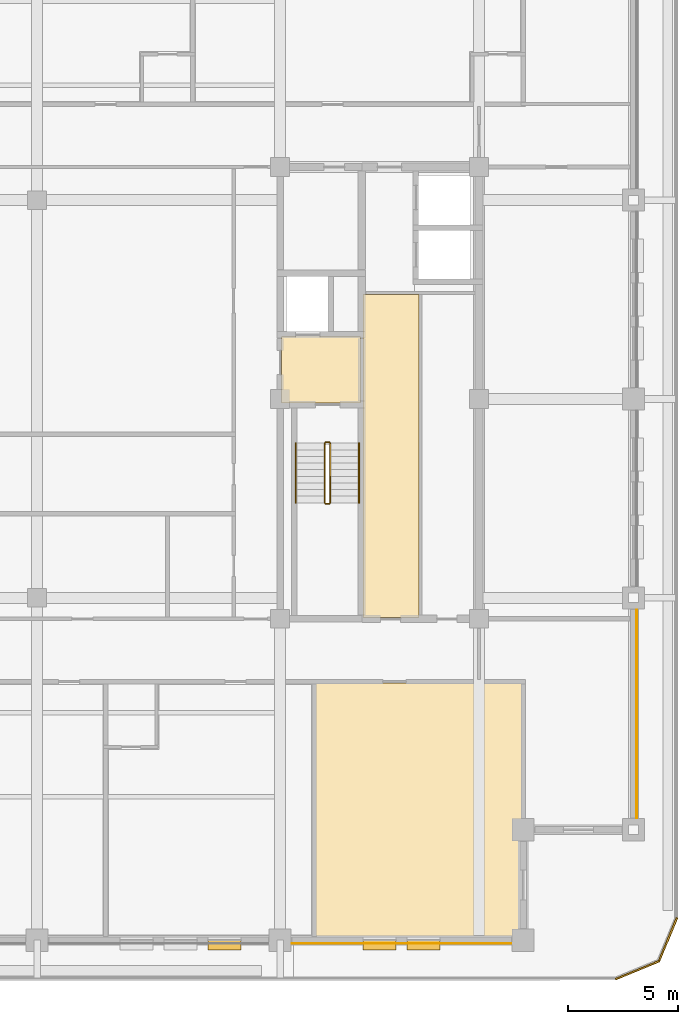
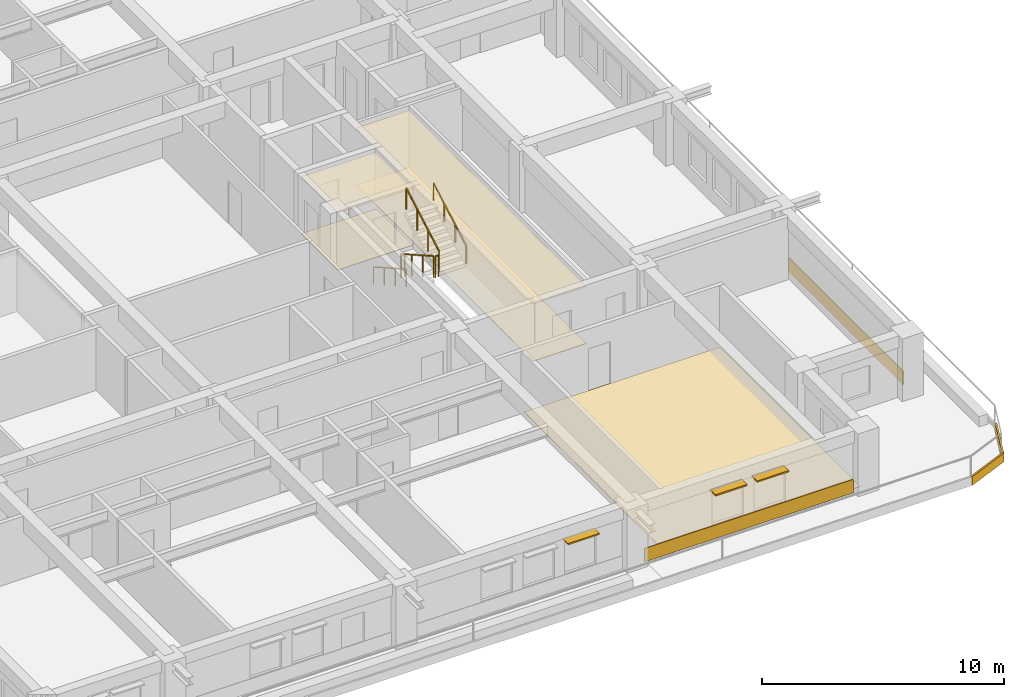
# One storey, part 12 of 13: 9 coverings, 6 railings, 3 shading devices.
"""IFC4 building model written with IfcOpenShell, lengths in metres."""

from ifc_helpers import new_model, si_unit, direction, frame, frame_2d, origin, origin_2d, place, context, subcontext, project, spatial, polyline, rectangle, outline, extrude, material, layer, layer_set, type_object, element, save


model = new_model("IFC4")

# Units and contexts
model_context = context("Model", 3, precision=1e-05, world=origin(), true_north=direction((0.0, 1.0)))
body_context = subcontext(model_context, "Body", "Model", "MODEL_VIEW")
ifc_project = project(units=[si_unit("LENGTHUNIT", "METRE"), si_unit("AREAUNIT", "SQUARE_METRE"), si_unit("VOLUMEUNIT", "CUBIC_METRE"), si_unit("PLANEANGLEUNIT", "RADIAN"), si_unit("MASSUNIT", "GRAM", prefix="KILO")], contexts=[model_context])

# Site, building, storey
site_placement = place(None, origin())
site = spatial("IfcSite", under=ifc_project, at=site_placement, CompositionType="ELEMENT")
building_placement = place(site_placement, origin())
building = spatial("IfcBuilding", under=site, at=building_placement, Name="Zulmaris Gate Convention Tower", CompositionType="ELEMENT")
storey_placement = place(building_placement, frame((0.0, 0.0, 169.4599609375)))
storey = spatial("IfcBuildingStorey", under=building, at=storey_placement, Name="L43", CompositionType="ELEMENT", Elevation=169.4599609375)

# Coverings
ifc_material_1 = material(Name="Precast concrete C40/50", Category="concrete")
ifc_layer_1 = layer(ifc_material_1, 0.0400390625, Name="Precast concrete C40/50")
ifc_layer_set_1 = layer_set([ifc_layer_1], Name="Precast concrete C40/50")
covering_type_1 = type_object("IfcCoveringType", Name="CLAD-SPANDREL-PRECAST", PredefinedType="CLADDING", material=ifc_layer_set_1)
covering_1_placement = place(storey_placement, frame((11.530029296875, -24.64990234375, 0.0), z_axis=(0.0, 0.0, 1.0), x_axis=(1.0, 0.0, 0.0)))
element("IfcCovering", 1, at=covering_1_placement, inside=storey, type_object=covering_type_1, Name="CLD-L43-S-3_0", PredefinedType="CLADDING", context=body_context, shape_type="SweptSolid", body=[
    extrude(rectangle(XDim=9.93994140625, YDim=0.0400390625, at=frame_2d((4.969970703125, 0.0))), origin(), (0.0, 0.0, 1.0), 0.679931640625),
])
covering_2_placement = place(storey_placement, frame((27.14990234375, -18.969970703125, 0.0), z_axis=(0.0, 0.0, 1.0), x_axis=(0.0, 1.0, 0.0)))
element("IfcCovering", 2, at=covering_2_placement, inside=storey, type_object=covering_type_1, Name="CLD-L43-E-0_0", PredefinedType="CLADDING", context=body_context, shape_type="SweptSolid", body=[
    extrude(rectangle(XDim=9.43994140625, YDim=0.0400390625, at=frame_2d((4.719970703125, 0.0))), origin(), (0.0, 0.0, 1.0), 0.679931640625),
])
ifc_material_2 = material(Name="White Glazed Architectural Precast Concrete C40/50", Category="concrete")
ifc_layer_2 = layer(ifc_material_2, 0.080078125, Name="White Glazed Architectural Precast Concrete C40/50")
ifc_layer_set_2 = layer_set([ifc_layer_2], Name="White Glazed Architectural Precast Concrete C40/50")
covering_type_2 = type_object("IfcCoveringType", Name="CLAD-TRAY-FASCIA", PredefinedType="CLADDING", material=ifc_layer_set_2)
covering_3_placement = place(storey_placement, frame((26.184814453125, -26.262939453125, -0.2900390625), z_axis=(0.0, 0.0, 1.0), x_axis=(0.923873803533, 0.382697263049, 0.0)))
element("IfcCovering", 3, at=covering_3_placement, inside=storey, type_object=covering_type_2, Name="FSC-L43-TR-03", PredefinedType="CLADDING", context=body_context, shape_type="SweptSolid", body=[
    extrude(rectangle(XDim=2.142822265625, YDim=0.080078125, at=frame_2d((1.0712890625, 0.0))), origin(), (0.0, 0.0, 1.0), 0.440185546875),
])
covering_4_placement = place(storey_placement, frame((28.142822265625, -25.464599609375, -0.2900390625), z_axis=(0.0, 0.0, 1.0), x_axis=(0.382656984709, 0.923890487046, 0.0)))
element("IfcCovering", 4, at=covering_4_placement, inside=storey, type_object=covering_type_2, Name="FSC-L43-TR-04", PredefinedType="CLADDING", context=body_context, shape_type="SweptSolid", body=[
    extrude(rectangle(XDim=2.14306640625, YDim=0.080078125, at=frame_2d((1.071533203125, 0.0))), origin(), (0.0, 0.0, 1.0), 0.440185546875),
])
ifc_material_3 = material(Name="Mineral Fibre Acoustic Ceiling Tile")
ifc_layer_3 = layer(ifc_material_3, 0.02001953125, Name="Mineral Fibre Acoustic Ceiling Tile")
ifc_layer_set_3 = layer_set([ifc_layer_3], Name="Mineral Fibre Acoustic Ceiling Tile")
covering_type_3 = type_object("IfcCoveringType", Name="CLG-ACOUSTIC-600", PredefinedType="CEILING", material=ifc_layer_set_3)
covering_5_placement = place(storey_placement, frame((0.0, 0.0, 2.869873046875)))
element("IfcCovering", 5, at=covering_5_placement, inside=storey, type_object=covering_type_3, Name="CLG-L43-R08", PredefinedType="CEILING", context=body_context, shape_type="SweptSolid", body=[
    extrude(outline(polyline([(11.06005859375, -0.18994140625), (14.639892578125, -0.18994140625), (14.639892578125, 2.840087890625), (11.06005859375, 2.840087890625), (11.06005859375, -0.18994140625)])), origin(), (0.0, 0.0, 1.0), 0.02001953125),
])
covering_6_placement = place(storey_placement, frame((0.0, 0.0, 2.869873046875)))
element("IfcCovering", 6, at=covering_6_placement, inside=storey, type_object=covering_type_3, Name="CLG-L43-R24", PredefinedType="CEILING", context=body_context, shape_type="SweptSolid", body=[
    extrude(outline(polyline([(14.760009765625, -9.889892578125), (17.2900390625, -9.889892578125), (17.2900390625, 4.739990234375), (14.760009765625, 4.739990234375), (14.760009765625, -9.889892578125)])), origin(), (0.0, 0.0, 1.0), 0.02001953125),
])
ifc_material_4 = material(Name="Woven Acoustic Wool Carpet Tile")
ifc_layer_4 = layer(ifc_material_4, 0.02001953125, Name="Woven Acoustic Wool Carpet Tile")
ifc_layer_set_4 = layer_set([ifc_layer_4], Name="Woven Acoustic Wool Carpet Tile")
covering_type_4 = type_object("IfcCoveringType", Name="FLR-CARPET-12", PredefinedType="FLOORING", material=ifc_layer_set_4)
covering_7_placement = place(storey_placement, origin())
element("IfcCovering", 7, at=covering_7_placement, inside=storey, type_object=covering_type_4, Name="FLR-L43-R08", PredefinedType="FLOORING", context=body_context, shape_type="SweptSolid", body=[
    extrude(outline(polyline([(11.06005859375, -0.18994140625), (14.639892578125, -0.18994140625), (14.639892578125, 2.840087890625), (11.06005859375, 2.840087890625), (11.06005859375, -0.18994140625)])), origin(), (0.0, 0.0, 1.0), 0.02001953125),
])
covering_8_placement = place(storey_placement, origin())
element("IfcCovering", 8, at=covering_8_placement, inside=storey, type_object=covering_type_4, Name="FLR-L43-R24", PredefinedType="FLOORING", context=body_context, shape_type="SweptSolid", body=[
    extrude(outline(polyline([(14.760009765625, -9.889892578125), (17.2900390625, -9.889892578125), (17.2900390625, 4.739990234375), (14.760009765625, 4.739990234375), (14.760009765625, -9.889892578125)])), origin(), (0.0, 0.0, 1.0), 0.02001953125),
])
ifc_material_5 = material(Name="Engineered Teak Parquet Flooring")
ifc_layer_5 = layer(ifc_material_5, 0.02001953125, Name="Engineered Teak Parquet Flooring")
ifc_layer_set_5 = layer_set([ifc_layer_5], Name="Engineered Teak Parquet Flooring")
covering_type_5 = type_object("IfcCoveringType", Name="FLR-TIMBER-18", PredefinedType="FLOORING", material=ifc_layer_set_5)
covering_9_placement = place(storey_placement, origin())
element("IfcCovering", 9, at=covering_9_placement, inside=storey, type_object=covering_type_5, Name="FLR-L43-R44", PredefinedType="FLOORING", context=body_context, shape_type="SweptSolid", body=[
    extrude(outline(polyline([(12.610107421875, -24.43994140625), (21.93994140625, -24.43994140625), (21.93994140625, -12.860107421875), (12.610107421875, -12.860107421875), (12.610107421875, -24.43994140625)])), origin(), (0.0, 0.0, 1.0), 0.02001953125),
])

# Railings
ifc_material_6 = material(Name="Painted Galvanised Steel", Category="steel")
railing_type_1 = type_object("IfcRailingType", Name="RL-STG-1150", PredefinedType="GUARDRAIL", material=ifc_material_6)
railing_1_placement = place(storey_placement, frame((13.010009765625, -2.0, 0.169921875)))
element("IfcRailing", 10, at=railing_1_placement, inside=storey, type_object=railing_type_1, Name="L43 ST-2 stair guard 1", PredefinedType="GUARDRAIL", context=body_context, shape_type="SweptSolid", body=[
    extrude(rectangle(XDim=0.048095703125, YDim=0.048095703125, at=origin_2d()), frame((0.0, 0.0, 1.076171875), z_axis=(0.0, -0.870014312096, 0.49302646658), x_axis=(1.0, 0.0, 0.0)), (0.0, 0.0, 1.0), 3.103271484375),
    extrude(rectangle(XDim=0.0419921875, YDim=0.0419921875, at=origin_2d()), origin(), (0.0, 0.0, 1.0), 1.052001953125),
    extrude(rectangle(XDim=0.0419921875, YDim=0.0419921875, at=origin_2d()), frame((0.0, -0.89990234375, 0.510009765625)), (0.0, 0.0, 1.0), 1.052001953125),
    extrude(rectangle(XDim=0.0419921875, YDim=0.0419921875, at=origin_2d()), frame((0.0, -1.800048828125, 1.02001953125)), (0.0, 0.0, 1.0), 1.052001953125),
    extrude(rectangle(XDim=0.0419921875, YDim=0.0419921875, at=origin_2d()), frame((0.0, -2.699951171875, 1.530029296875)), (0.0, 0.0, 1.0), 1.052001953125),
])
railing_2_placement = place(storey_placement, frame((13.06005859375, -4.75, 1.699951171875)))
element("IfcRailing", 11, at=railing_2_placement, inside=storey, type_object=railing_type_1, Name="L43 ST-2 stair guard 2", PredefinedType="GUARDRAIL", context=body_context, shape_type="SweptSolid", body=[
    extrude(rectangle(XDim=0.048095703125, YDim=0.048095703125, at=origin_2d()), frame((0.0, 0.0, 1.076171875), z_axis=(1.0, 0.0, 0.0), x_axis=(0.0, 1.0, 0.0)), (0.0, 0.0, 1.0), 0.159912109375),
    extrude(rectangle(XDim=0.0419921875, YDim=0.0419921875, at=origin_2d()), origin(), (0.0, 0.0, 1.0), 1.052001953125),
    extrude(rectangle(XDim=0.0419921875, YDim=0.0419921875, at=origin_2d()), frame((0.159912109375, 0.0, 0.0)), (0.0, 0.0, 1.0), 1.052001953125),
])
railing_3_placement = place(storey_placement, frame((13.27001953125, -4.699951171875, 1.869873046875)))
element("IfcRailing", 12, at=railing_3_placement, inside=storey, type_object=railing_type_1, Name="L43 ST-2 stair guard 3", PredefinedType="GUARDRAIL", context=body_context, shape_type="SweptSolid", body=[
    extrude(rectangle(XDim=0.048095703125, YDim=0.048095703125, at=origin_2d()), frame((0.0, 0.0, 1.076171875), z_axis=(0.0, 0.870014312096, 0.49302646658), x_axis=(-1.0, 0.0, 0.0)), (0.0, 0.0, 1.0), 3.103271484375),
    extrude(rectangle(XDim=0.0419921875, YDim=0.0419921875, at=origin_2d()), origin(), (0.0, 0.0, 1.0), 1.052001953125),
    extrude(rectangle(XDim=0.0419921875, YDim=0.0419921875, at=origin_2d()), frame((0.0, 0.89990234375, 0.510009765625)), (0.0, 0.0, 1.0), 1.052001953125),
    extrude(rectangle(XDim=0.0419921875, YDim=0.0419921875, at=origin_2d()), frame((0.0, 1.800048828125, 1.02001953125)), (0.0, 0.0, 1.0), 1.052001953125),
    extrude(rectangle(XDim=0.0419921875, YDim=0.0419921875, at=origin_2d()), frame((0.0, 2.699951171875, 1.530029296875)), (0.0, 0.0, 1.0), 1.052001953125),
])
railing_4_placement = place(storey_placement, frame((13.06005859375, -1.949951171875, 0.0)))
element("IfcRailing", 13, at=railing_4_placement, inside=storey, type_object=railing_type_1, Name="L43 ST-2 stair guard 4", PredefinedType="GUARDRAIL", context=body_context, shape_type="SweptSolid", body=[
    extrude(rectangle(XDim=0.048095703125, YDim=0.048095703125, at=origin_2d()), frame((0.0, 0.0, 1.076171875), z_axis=(1.0, 0.0, 0.0), x_axis=(0.0, 1.0, 0.0)), (0.0, 0.0, 1.0), 0.159912109375),
    extrude(rectangle(XDim=0.0419921875, YDim=0.0419921875, at=origin_2d()), origin(), (0.0, 0.0, 1.0), 1.052001953125),
    extrude(rectangle(XDim=0.0419921875, YDim=0.0419921875, at=origin_2d()), frame((0.159912109375, 0.0, 0.0)), (0.0, 0.0, 1.0), 1.052001953125),
])
ifc_material_7 = material(Name="Brushed Stainless Steel", Category="steel")
railing_type_2 = type_object("IfcRailingType", Name="RL-STH-900", PredefinedType="HANDRAIL", material=ifc_material_7)
railing_5_placement = place(storey_placement, frame((11.7099609375, -2.0, 0.169921875)))
element("IfcRailing", 14, at=railing_5_placement, inside=storey, type_object=railing_type_2, Name="L43 ST-2 stair handrail 1", PredefinedType="HANDRAIL", context=body_context, shape_type="SweptSolid", body=[
    extrude(rectangle(XDim=0.048095703125, YDim=0.048095703125, at=origin_2d()), frame((0.0, 0.0, 0.8759765625), z_axis=(0.0, -0.870014312096, 0.49302646658), x_axis=(1.0, 0.0, 0.0)), (0.0, 0.0, 1.0), 3.103271484375),
    extrude(rectangle(XDim=0.0419921875, YDim=0.0419921875, at=origin_2d()), origin(), (0.0, 0.0, 1.0), 0.851806640625),
    extrude(rectangle(XDim=0.0419921875, YDim=0.0419921875, at=origin_2d()), frame((0.0, -0.89990234375, 0.510009765625)), (0.0, 0.0, 1.0), 0.851806640625),
    extrude(rectangle(XDim=0.0419921875, YDim=0.0419921875, at=origin_2d()), frame((0.0, -1.800048828125, 1.02001953125)), (0.0, 0.0, 1.0), 0.851806640625),
    extrude(rectangle(XDim=0.0419921875, YDim=0.0419921875, at=origin_2d()), frame((0.0, -2.699951171875, 1.530029296875)), (0.0, 0.0, 1.0), 0.851806640625),
])
railing_6_placement = place(storey_placement, frame((14.570068359375, -4.699951171875, 1.869873046875)))
element("IfcRailing", 15, at=railing_6_placement, inside=storey, type_object=railing_type_2, Name="L43 ST-2 stair handrail 2", PredefinedType="HANDRAIL", context=body_context, shape_type="SweptSolid", body=[
    extrude(rectangle(XDim=0.048095703125, YDim=0.048095703125, at=origin_2d()), frame((0.0, 0.0, 0.8759765625), z_axis=(0.0, 0.870014312096, 0.49302646658), x_axis=(-1.0, 0.0, 0.0)), (0.0, 0.0, 1.0), 3.103271484375),
    extrude(rectangle(XDim=0.0419921875, YDim=0.0419921875, at=origin_2d()), origin(), (0.0, 0.0, 1.0), 0.851806640625),
    extrude(rectangle(XDim=0.0419921875, YDim=0.0419921875, at=origin_2d()), frame((0.0, 0.89990234375, 0.510009765625)), (0.0, 0.0, 1.0), 0.851806640625),
    extrude(rectangle(XDim=0.0419921875, YDim=0.0419921875, at=origin_2d()), frame((0.0, 1.800048828125, 1.02001953125)), (0.0, 0.0, 1.0), 0.851806640625),
    extrude(rectangle(XDim=0.0419921875, YDim=0.0419921875, at=origin_2d()), frame((0.0, 2.699951171875, 1.530029296875)), (0.0, 0.0, 1.0), 0.851806640625),
])

# Shading devices
ifc_material_8 = material(Name="Glazed Ceramic Terracotta", Category="masonry")
ifc_layer_6 = layer(ifc_material_8, 0.070068359375, Name="Glazed Ceramic Terracotta")
ifc_layer_set_6 = layer_set([ifc_layer_6], Name="Glazed Ceramic Terracotta")
shading_device_type = type_object("IfcShadingDeviceType", Name="SHD-SUNSHADE-TC", PredefinedType="AWNING", material=ifc_layer_set_6)
for number, where, z_axis, x_axis, name in (
    (16, (7.73193359375, -24.719970703125, 2.35009765625), (0.0, 0.0, 1.0), (1.0, 0.0, 0.0), "SHD-EW-L43-S-2_0-4"),
    (17, (14.756103515625, -24.719970703125, 2.35009765625), (0.0, 0.0, 1.0), (1.0, 0.0, 0.0), "SHD-EW-L43-S-3_0-2"),
    (18, (16.743896484375, -24.719970703125, 2.35009765625), (0.0, 0.0, 1.0), (1.0, 0.0, 0.0), "SHD-EW-L43-S-3_0-3"),
):
    element("IfcShadingDevice", number, at=place(storey_placement, frame(where, z_axis=z_axis, x_axis=x_axis)), inside=storey, type_object=shading_device_type, Name=name, PredefinedType="AWNING", context=body_context, shape_type="SweptSolid", body=[
        extrude(rectangle(XDim=1.5, YDim=0.43994140625, at=frame_2d((0.75, 0.0))), origin(), (0.0, 0.0, 1.0), 0.06982421875),
    ])

save(model, "model.ifc")
